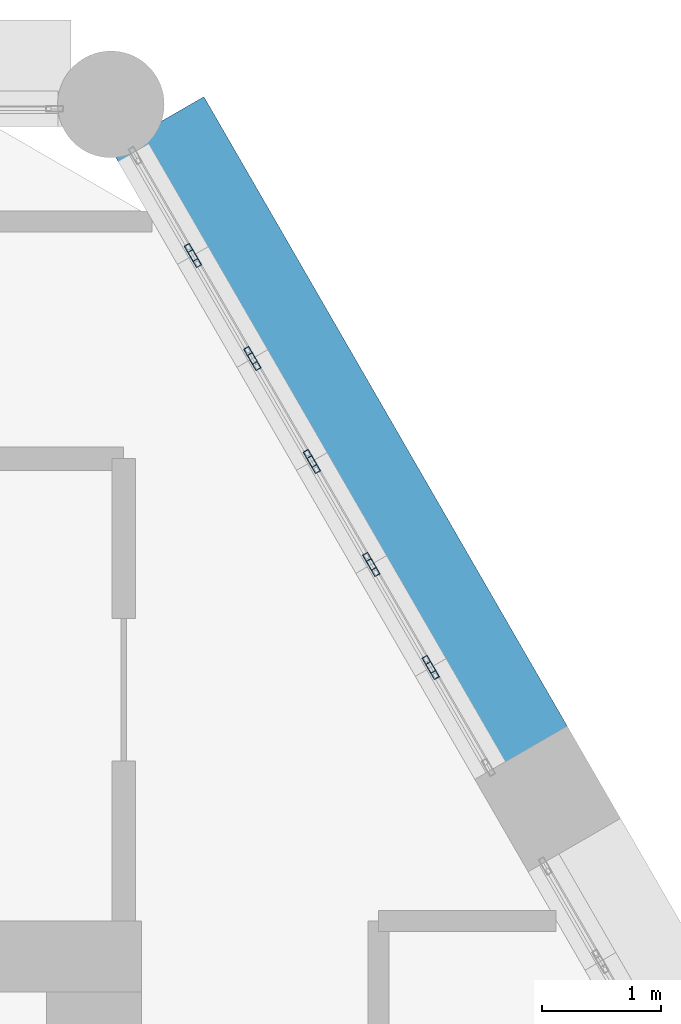
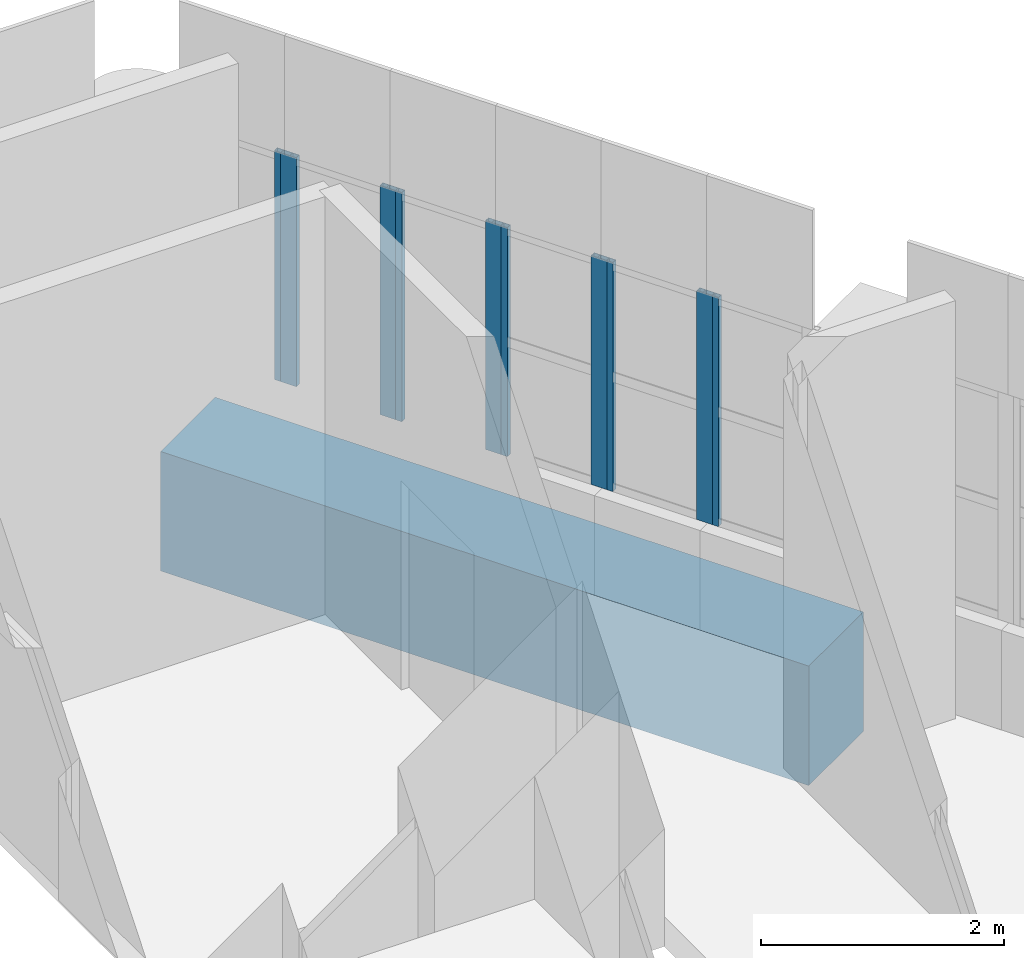
# One storey, part 7 of 16: 10 members, 1 beam, 6 elements without a shape of their own.
"""IFC4 building model written with IfcOpenShell, lengths in metres."""

from ifc_helpers import new_model, si_unit, direction, frame, origin, origin_2d, place, context, subcontext, project, spatial, rectangle, hollow_rectangle, extrude, material, material_profile, profile_set, type_object, element, aggregate, save


model = new_model("IFC4")

# Units and contexts
model_context = context("Model", 3, precision=1e-05, world=origin(), true_north=direction((0.0, 1.0)))
body_context = subcontext(model_context, "Body", "Model", "MODEL_VIEW")
ifc_project = project(units=[si_unit("LENGTHUNIT", "METRE"), si_unit("AREAUNIT", "SQUARE_METRE"), si_unit("VOLUMEUNIT", "CUBIC_METRE"), si_unit("PLANEANGLEUNIT", "RADIAN"), si_unit("MASSUNIT", "GRAM", prefix="KILO")], contexts=[model_context])

# Site, building, storey
site_placement = place(None, origin())
site = spatial("IfcSite", under=ifc_project, at=site_placement, CompositionType="ELEMENT")
building_placement = place(site_placement, origin())
building = spatial("IfcBuilding", under=site, at=building_placement, Name="Ostrander Bayou Hotel Tower", CompositionType="ELEMENT")
storey_placement = place(building_placement, frame((0.0, 0.0, 288.5)))
storey = spatial("IfcBuildingStorey", under=building, at=storey_placement, Name="L71", CompositionType="ELEMENT", Elevation=288.5)

# Curtain wall, member
ifc_material_1 = material(Name="Aluminium and clear glass", Category="aluminium")
curtain_wall_type = type_object("IfcCurtainWallType", Name="CW-CROWN glazed wall", PredefinedType="NOTDEFINED", material=ifc_material_1)
curtain_wall_1_placement = place(storey_placement, origin())
curtain_wall_1 = element("IfcCurtainWall", 1, at=curtain_wall_1_placement, inside=storey, type_object=curtain_wall_type, Name="CW-CROWN L71:NE-3-1", PredefinedType="NOTDEFINED")
ifc_material_2 = material(Name="Aluminium", Category="aluminium")
ifc_material_profile_1 = material_profile(ifc_material_2, hollow_rectangle(XDim=0.050048828125, YDim=0.14990234375, WallThickness=0.00390625, at=origin_2d()))
ifc_profile_set_1 = profile_set([ifc_material_profile_1], Name="Aluminium")
member_type = type_object("IfcMemberType", Name="CW-CR mullion 50 x 150 mm", PredefinedType="MULLION", material=ifc_profile_set_1)
member_1_placement = place(storey_placement, frame((10.954833984375, 11.8125, 1.0), z_axis=(0.0, 0.0, 1.0), x_axis=(-0.866026229865, -0.499998569184, 0.0)))
member_1 = element("IfcMember", 2, at=member_1_placement, type_object=member_type, Name="CW-CROWN mullion 2", PredefinedType="MULLION", context=body_context, shape_type="SweptSolid", body=[
    extrude(hollow_rectangle(XDim=0.050048828125, YDim=0.14990234375, WallThickness=0.00390625, at=origin_2d()), origin(), (0.0, 0.0, 1.0), 2.300048828125),
])
aggregate(curtain_wall_1, [member_1])

# Curtain wall, members
curtain_wall_2_placement = place(storey_placement, origin())
curtain_wall_2 = element("IfcCurtainWall", 3, at=curtain_wall_2_placement, inside=storey, type_object=curtain_wall_type, Name="CW-CROWN L71:NE-3-2", PredefinedType="NOTDEFINED")
member_2_placement = place(storey_placement, frame((10.9248046875, 11.864501953125, 1.0), z_axis=(0.0, 0.0, 1.0), x_axis=(-0.866001306597, -0.50004173523, 0.0)))
member_2 = element("IfcMember", 4, at=member_2_placement, type_object=member_type, Name="CW-CROWN mullion 1", PredefinedType="MULLION", context=body_context, shape_type="SweptSolid", body=[
    extrude(hollow_rectangle(XDim=0.050048828125, YDim=0.14990234375, WallThickness=0.00390625, at=origin_2d()), origin(), (0.0, 0.0, 1.0), 2.300048828125),
])
member_3_placement = place(storey_placement, frame((10.453369140625, 12.681396484375, 1.0), z_axis=(0.0, 0.0, 1.0), x_axis=(-0.866001306597, -0.50004173523, 0.0)))
member_3 = element("IfcMember", 5, at=member_3_placement, type_object=member_type, Name="CW-CROWN mullion 2", PredefinedType="MULLION", context=body_context, shape_type="SweptSolid", body=[
    extrude(hollow_rectangle(XDim=0.050048828125, YDim=0.14990234375, WallThickness=0.00390625, at=origin_2d()), origin(), (0.0, 0.0, 1.0), 2.300048828125),
])
aggregate(curtain_wall_2, [member_2, member_3])

curtain_wall_3_placement = place(storey_placement, origin())
curtain_wall_3 = element("IfcCurtainWall", 6, at=curtain_wall_3_placement, inside=storey, type_object=curtain_wall_type, Name="CW-CROWN L71:NE-3-3", PredefinedType="NOTDEFINED")
member_4_placement = place(storey_placement, frame((10.42333984375, 12.7333984375, 1.0), z_axis=(0.0, 0.0, 1.0), x_axis=(-0.866069391736, -0.499923802893, 0.0)))
member_4 = element("IfcMember", 7, at=member_4_placement, type_object=member_type, Name="CW-CROWN mullion 1", PredefinedType="MULLION", context=body_context, shape_type="SweptSolid", body=[
    extrude(hollow_rectangle(XDim=0.050048828125, YDim=0.14990234375, WallThickness=0.00390625, at=origin_2d()), origin(), (0.0, 0.0, 1.0), 2.300048828125),
])
member_5_placement = place(storey_placement, frame((9.951904296875, 13.550048828125, 1.0), z_axis=(0.0, 0.0, 1.0), x_axis=(-0.866069391736, -0.499923802893, 0.0)))
member_5 = element("IfcMember", 8, at=member_5_placement, type_object=member_type, Name="CW-CROWN mullion 2", PredefinedType="MULLION", context=body_context, shape_type="SweptSolid", body=[
    extrude(hollow_rectangle(XDim=0.050048828125, YDim=0.14990234375, WallThickness=0.00390625, at=origin_2d()), origin(), (0.0, 0.0, 1.0), 2.300048828125),
])
aggregate(curtain_wall_3, [member_4, member_5])

curtain_wall_4_placement = place(storey_placement, origin())
curtain_wall_4 = element("IfcCurtainWall", 9, at=curtain_wall_4_placement, inside=storey, type_object=curtain_wall_type, Name="CW-CROWN L71:NE-3-4", PredefinedType="NOTDEFINED")
member_6_placement = place(storey_placement, frame((9.921875, 13.60205078125, 1.0), z_axis=(0.0, 0.0, 1.0), x_axis=(-0.866026229865, -0.499998569184, 0.0)))
member_6 = element("IfcMember", 10, at=member_6_placement, type_object=member_type, Name="CW-CROWN mullion 1", PredefinedType="MULLION", context=body_context, shape_type="SweptSolid", body=[
    extrude(hollow_rectangle(XDim=0.050048828125, YDim=0.14990234375, WallThickness=0.00390625, at=origin_2d()), origin(), (0.0, 0.0, 1.0), 2.300048828125),
])
member_7_placement = place(storey_placement, frame((9.4501953125, 14.4189453125, 1.0), z_axis=(0.0, 0.0, 1.0), x_axis=(-0.866026229865, -0.499998569184, 0.0)))
member_7 = element("IfcMember", 11, at=member_7_placement, type_object=member_type, Name="CW-CROWN mullion 2", PredefinedType="MULLION", context=body_context, shape_type="SweptSolid", body=[
    extrude(hollow_rectangle(XDim=0.050048828125, YDim=0.14990234375, WallThickness=0.00390625, at=origin_2d()), origin(), (0.0, 0.0, 1.0), 2.300048828125),
])
aggregate(curtain_wall_4, [member_6, member_7])

curtain_wall_5_placement = place(storey_placement, origin())
curtain_wall_5 = element("IfcCurtainWall", 12, at=curtain_wall_5_placement, inside=storey, type_object=curtain_wall_type, Name="CW-CROWN L71:NE-3-5", PredefinedType="NOTDEFINED")
member_8_placement = place(storey_placement, frame((9.420166015625, 14.470947265625, 1.0), z_axis=(0.0, 0.0, 1.0), x_axis=(-0.866001306597, -0.50004173523, 0.0)))
member_8 = element("IfcMember", 13, at=member_8_placement, type_object=member_type, Name="CW-CROWN mullion 1", PredefinedType="MULLION", context=body_context, shape_type="SweptSolid", body=[
    extrude(hollow_rectangle(XDim=0.050048828125, YDim=0.14990234375, WallThickness=0.00390625, at=origin_2d()), origin(), (0.0, 0.0, 1.0), 2.300048828125),
])
member_9_placement = place(storey_placement, frame((8.948486328125, 15.28759765625, 1.0), z_axis=(0.0, 0.0, 1.0), x_axis=(-0.866001306597, -0.50004173523, 0.0)))
member_9 = element("IfcMember", 14, at=member_9_placement, type_object=member_type, Name="CW-CROWN mullion 2", PredefinedType="MULLION", context=body_context, shape_type="SweptSolid", body=[
    extrude(hollow_rectangle(XDim=0.050048828125, YDim=0.14990234375, WallThickness=0.00390625, at=origin_2d()), origin(), (0.0, 0.0, 1.0), 2.300048828125),
])
aggregate(curtain_wall_5, [member_8, member_9])

# Curtain wall, member
curtain_wall_6_placement = place(storey_placement, origin())
curtain_wall_6 = element("IfcCurtainWall", 15, at=curtain_wall_6_placement, inside=storey, type_object=curtain_wall_type, Name="CW-CROWN L71:NE-3-6", PredefinedType="NOTDEFINED")
member_10_placement = place(storey_placement, frame((8.918701171875, 15.339599609375, 1.0), z_axis=(0.0, 0.0, 1.0), x_axis=(-0.866026229865, -0.499998569184, 0.0)))
member_10 = element("IfcMember", 16, at=member_10_placement, type_object=member_type, Name="CW-CROWN mullion 1", PredefinedType="MULLION", context=body_context, shape_type="SweptSolid", body=[
    extrude(hollow_rectangle(XDim=0.050048828125, YDim=0.14990234375, WallThickness=0.00390625, at=origin_2d()), origin(), (0.0, 0.0, 1.0), 2.300048828125),
])
aggregate(curtain_wall_6, [member_10])

# Beam
ifc_material_3 = material(Name="Concrete f'c 60 MPa", Category="concrete")
ifc_material_profile_2 = material_profile(ifc_material_3, rectangle(XDim=0.89990234375, YDim=1.199951171875, at=origin_2d()))
ifc_profile_set_2 = profile_set([ifc_material_profile_2], Name="Concrete f'c 60 MPa")
beam_type = type_object("IfcBeamType", Name="SP4 spandrel beam 900 x 1200 mm f'c 60 MPa", PredefinedType="SPANDREL", material=ifc_profile_set_2)
beam_placement = place(storey_placement, frame((11.71630859375, 11.09375, -0.60009765625), z_axis=(-0.499984362083, 0.866034432152, 0.0), x_axis=(-0.866034432152, -0.499984362083, 0.0)))
element("IfcBeam", 17, at=beam_placement, inside=storey, type_object=beam_type, Name="SP4 L71 NE-3", PredefinedType="SPANDREL", context=body_context, shape_type="SweptSolid", body=[
    extrude(rectangle(XDim=0.89990234375, YDim=1.199951171875, at=origin_2d()), origin(), (0.0, 0.0, 1.0), 6.159423828125),
])

save(model, "model.ifc")
